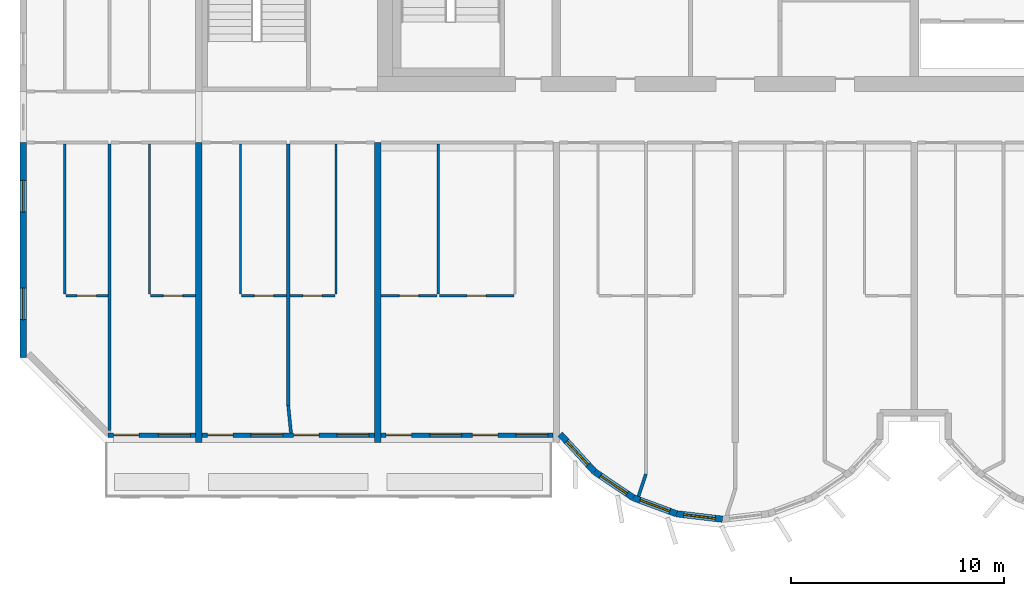
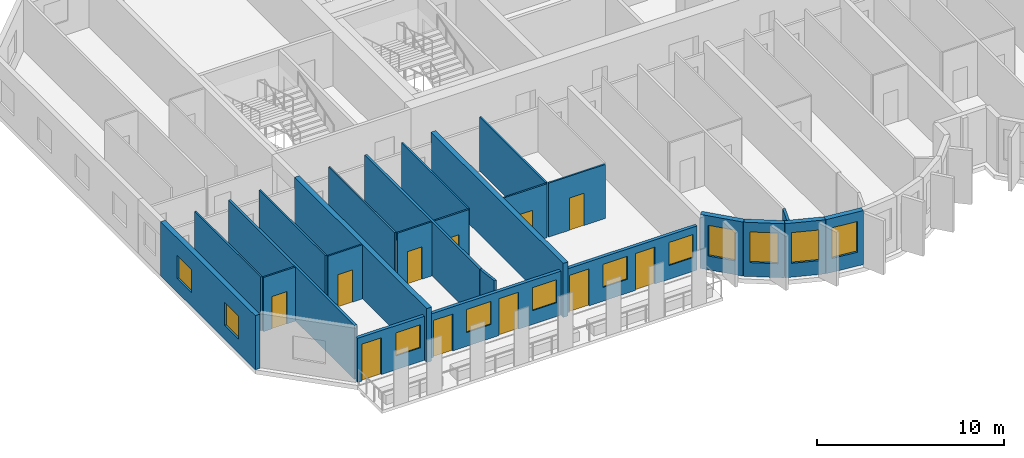
# One storey, part 2 of 13: 25 walls, 11 doors, 11 windows, 22 openings.
"""IFC4 building model written with IfcOpenShell, lengths in metres."""

from ifc_helpers import new_model, si_unit, direction, frame, frame_2d, origin, place, context, subcontext, project, spatial, rectangle, extrude, source, transform, mapped, material, layer, layer_set, type_object, element, fill, save


model = new_model("IFC4")

# Units and contexts
model_context = context("Model", 3, precision=1e-05, world=origin(), true_north=direction((0.0, 1.0)))
body_context = subcontext(model_context, "Body", "Model", "MODEL_VIEW")
ifc_project = project(units=[si_unit("LENGTHUNIT", "METRE"), si_unit("AREAUNIT", "SQUARE_METRE"), si_unit("VOLUMEUNIT", "CUBIC_METRE"), si_unit("PLANEANGLEUNIT", "RADIAN"), si_unit("MASSUNIT", "GRAM", prefix="KILO")], contexts=[model_context])

# Site, building, storey
site_placement = place(None, origin())
site = spatial("IfcSite", under=ifc_project, at=site_placement, CompositionType="ELEMENT")
building_placement = place(site_placement, origin())
building = spatial("IfcBuilding", under=site, at=building_placement, Name="Vanashikhar Sky Hotel", CompositionType="ELEMENT")
storey_placement = place(building_placement, frame((0.0, 0.0, 174.39990234375)))
storey = spatial("IfcBuildingStorey", under=building, at=storey_placement, Name="L42", CompositionType="ELEMENT", Elevation=174.39990234375)

# Wall, openings, windows
ifc_material_1 = material(Name="Concrete M60", Category="concrete")
ifc_layer_1 = layer(ifc_material_1, 0.300048828125)
ifc_layer_set_1 = layer_set([ifc_layer_1], Name="RC shear wall 300 Concrete M60")
wall_type_1 = type_object("IfcWallType", Name="RC shear wall 300 Concrete M60", PredefinedType="SHEAR", material=ifc_layer_set_1)
shared_shape_1 = source(origin(), body_context, "Body", "SweptSolid", [
    extrude(rectangle(XDim=10.10009765625, YDim=0.300048828125, at=frame_2d((5.050048828125, 0.0))), origin(), (0.0, 0.0, 1.0), 3.52001953125),
])
wall_1_placement = place(storey_placement, frame((8.550048828125, 9.5, 0.0), z_axis=(0.0, 0.0, 1.0), x_axis=(0.0, 1.0, 0.0)))
wall_1 = element("IfcWall", 1, at=wall_1_placement, inside=storey, type_object=wall_type_1, Name="CW-L42-XW02-1", PredefinedType="SHEAR", context=body_context, shape_type="MappedRepresentation", body=[
    mapped(shared_shape_1, transform((0.0, 0.0, 0.0), scale=1.0)),
])
shared_shape_2 = source(origin(), body_context, "Body", "SweptSolid", [
    extrude(rectangle(XDim=1.5, YDim=1.5, at=frame_2d((0.75, 0.75))), frame((0.0, 0.16015625, 0.0), z_axis=(0.0, -1.0, 0.0), x_axis=(1.0, 0.0, 0.0)), (0.0, 0.0, 1.0), 0.320068359375),
])
opening_1_placement = place(wall_1_placement, frame((1.77490234375, 0.0, 0.89990234375)))
opening_1 = element("IfcOpeningElement", 2, at=opening_1_placement, cuts=wall_1, Name="Opening WN-1", PredefinedType="OPENING", context=body_context, shape_type="MappedRepresentation", body=[
    mapped(shared_shape_2, transform((0.0, 0.0, 0.0), scale=1.0)),
])
opening_2_placement = place(wall_1_placement, frame((6.824951171875, 0.0, 0.89990234375)))
opening_2 = element("IfcOpeningElement", 3, at=opening_2_placement, cuts=wall_1, Name="Opening WN-1", PredefinedType="OPENING", context=body_context, shape_type="MappedRepresentation", body=[
    mapped(shared_shape_2, transform((0.0, 0.0, 0.0), scale=1.0)),
])
ifc_material_2 = material(Name="Glass", Category="glass")
window_type_1 = type_object("IfcWindowType", Name="Window 1500 x 1500", PartitioningType="SINGLE_PANEL", PredefinedType="WINDOW", material=ifc_material_2)
shared_shape_3 = source(origin(), body_context, "Body", "SweptSolid", [
    extrude(rectangle(XDim=1.5, YDim=1.5, at=frame_2d((0.75, 0.75))), frame((0.0, 0.030029296875, 0.0), z_axis=(0.0, -1.0, 0.0), x_axis=(1.0, 0.0, 0.0)), (0.0, 0.0, 1.0), 0.06005859375),
])
window_1_placement = place(opening_1_placement, origin())
window_1 = element("IfcWindow", 4, at=window_1_placement, inside=storey, type_object=window_type_1, Name="Window WN-1", OverallHeight=1.5, OverallWidth=1.5, PartitioningType="SINGLE_PANEL", PredefinedType="WINDOW", context=body_context, shape_type="MappedRepresentation", body=[
    mapped(shared_shape_3, transform((0.0, 0.0, 0.0), scale=1.0)),
])
fill(opening_1, window_1)
window_2_placement = place(opening_2_placement, origin())
window_2 = element("IfcWindow", 5, at=window_2_placement, inside=storey, type_object=window_type_1, Name="Window WN-1", OverallHeight=1.5, OverallWidth=1.5, PartitioningType="SINGLE_PANEL", PredefinedType="WINDOW", context=body_context, shape_type="MappedRepresentation", body=[
    mapped(shared_shape_3, transform((0.0, 0.0, 0.0), scale=1.0)),
])
fill(opening_2, window_2)

# Walls
shared_shape_4 = source(origin(), body_context, "Body", "SweptSolid", [
    extrude(rectangle(XDim=14.10009765625, YDim=0.300048828125, at=frame_2d((7.050048828125, 0.0))), origin(), (0.0, 0.0, 1.0), 3.52001953125),
])
for number, where, z_axis, x_axis, name in (
    (6, (16.800048828125, 5.5, 0.0), (0.0, 0.0, 1.0), (0.0, 1.0, 0.0), "CW-L42-XW03-1"),
    (7, (25.199951171875, 5.5, 0.0), (0.0, 0.0, 1.0), (0.0, 1.0, 0.0), "CW-L42-XW04-1"),
):
    element("IfcWall", number, at=place(storey_placement, frame(where, z_axis=z_axis, x_axis=x_axis)), inside=storey, type_object=wall_type_1, Name=name, PredefinedType="SHEAR", context=body_context, shape_type="MappedRepresentation", body=[
        mapped(shared_shape_4, transform((0.0, 0.0, 0.0), scale=1.0)),
    ])

# Wall, opening, window
ifc_material_3 = material(Name="Concrete M50", Category="concrete")
ifc_layer_2 = layer(ifc_material_3, 0.300048828125)
ifc_layer_set_2 = layer_set([ifc_layer_2], Name="Lobe wall 300")
wall_type_2 = type_object("IfcWallType", Name="Lobe wall 300", PredefinedType="SOLIDWALL", material=ifc_layer_set_2)
shared_shape_5 = source(origin(), body_context, "Body", "SweptSolid", [
    extrude(rectangle(XDim=2.398193359375, YDim=0.300048828125, at=frame_2d((1.19921875, 0.0))), origin(), (0.0, 0.0, 1.0), 3.52001953125),
])
wall_2_placement = place(storey_placement, frame((33.776123046875, 5.89990234375, 0.0), z_axis=(0.0, 0.0, 1.0), x_axis=(0.675374189419, -0.737475222815, 0.0)))
wall_2 = element("IfcWall", 8, at=wall_2_placement, inside=storey, type_object=wall_type_2, Name="Lobe wall", PredefinedType="SOLIDWALL", context=body_context, shape_type="MappedRepresentation", body=[
    mapped(shared_shape_5, transform((0.0, 0.0, 0.0), scale=1.0)),
])
shared_shape_6 = source(origin(), body_context, "Body", "SweptSolid", [
    extrude(rectangle(XDim=1.5, YDim=2.0, at=frame_2d((0.75, 1.0))), frame((0.0, 0.16015625, 0.0), z_axis=(0.0, -1.0, 0.0), x_axis=(1.0, 0.0, 0.0)), (0.0, 0.0, 1.0), 0.320068359375),
])
opening_3_placement = place(wall_2_placement, frame((0.44921875, 0.0, 0.89990234375)))
opening_3 = element("IfcOpeningElement", 9, at=opening_3_placement, cuts=wall_2, Name="Opening WN-2", PredefinedType="OPENING", context=body_context, shape_type="MappedRepresentation", body=[
    mapped(shared_shape_6, transform((0.0, 0.0, 0.0), scale=1.0)),
])
window_type_2 = type_object("IfcWindowType", Name="Lobe window 1500 x 2000", PartitioningType="SINGLE_PANEL", PredefinedType="WINDOW", material=ifc_material_2)
shared_shape_7 = source(origin(), body_context, "Body", "SweptSolid", [
    extrude(rectangle(XDim=1.5, YDim=2.0, at=frame_2d((0.75, 1.0))), frame((0.0, 0.030029296875, 0.0), z_axis=(0.0, -1.0, 0.0), x_axis=(1.0, 0.0, 0.0)), (0.0, 0.0, 1.0), 0.06005859375),
])
window_3_placement = place(opening_3_placement, origin())
window_3 = element("IfcWindow", 10, at=window_3_placement, inside=storey, type_object=window_type_2, Name="Window WN-2", OverallHeight=2.0, OverallWidth=1.5, PartitioningType="SINGLE_PANEL", PredefinedType="WINDOW", context=body_context, shape_type="MappedRepresentation", body=[
    mapped(shared_shape_7, transform((0.0, 0.0, 0.0), scale=1.0)),
])
fill(opening_3, window_3)

shared_shape_8 = source(origin(), body_context, "Body", "SweptSolid", [
    extrude(rectangle(XDim=2.17578125, YDim=0.300048828125, at=frame_2d((1.087890625, 0.0))), origin(), (0.0, 0.0, 1.0), 3.52001953125),
])
wall_3_placement = place(storey_placement, frame((35.395751953125, 4.13134765625, 0.0), z_axis=(0.0, 0.0, 1.0), x_axis=(0.829590746428, -0.558371913192, 0.0)))
wall_3 = element("IfcWall", 11, at=wall_3_placement, inside=storey, type_object=wall_type_2, Name="Lobe wall", PredefinedType="SOLIDWALL", context=body_context, shape_type="MappedRepresentation", body=[
    mapped(shared_shape_8, transform((0.0, 0.0, 0.0), scale=1.0)),
])
opening_4_placement = place(wall_3_placement, frame((0.337890625, 0.0, 0.89990234375)))
opening_4 = element("IfcOpeningElement", 12, at=opening_4_placement, cuts=wall_3, Name="Opening WN-2", PredefinedType="OPENING", context=body_context, shape_type="MappedRepresentation", body=[
    mapped(shared_shape_6, transform((0.0, 0.0, 0.0), scale=1.0)),
])
window_4_placement = place(opening_4_placement, origin())
window_4 = element("IfcWindow", 13, at=window_4_placement, inside=storey, type_object=window_type_2, Name="Window WN-2", OverallHeight=2.0, OverallWidth=1.5, PartitioningType="SINGLE_PANEL", PredefinedType="WINDOW", context=body_context, shape_type="MappedRepresentation", body=[
    mapped(shared_shape_7, transform((0.0, 0.0, 0.0), scale=1.0)),
])
fill(opening_4, window_4)

wall_4_placement = place(storey_placement, frame((37.20068359375, 2.91650390625, 0.0), z_axis=(0.0, 0.0, 1.0), x_axis=(0.93754555999, -0.347862505801, 0.0)))
wall_4 = element("IfcWall", 14, at=wall_4_placement, inside=storey, type_object=wall_type_2, Name="Lobe wall", PredefinedType="SOLIDWALL", context=body_context, shape_type="MappedRepresentation", body=[
    mapped(shared_shape_8, transform((0.0, 0.0, 0.0), scale=1.0)),
])
opening_5_placement = place(wall_4_placement, frame((0.337890625, 0.0, 0.89990234375)))
opening_5 = element("IfcOpeningElement", 15, at=opening_5_placement, cuts=wall_4, Name="Opening WN-2", PredefinedType="OPENING", context=body_context, shape_type="MappedRepresentation", body=[
    mapped(shared_shape_6, transform((0.0, 0.0, 0.0), scale=1.0)),
])
window_5_placement = place(opening_5_placement, origin())
window_5 = element("IfcWindow", 16, at=window_5_placement, inside=storey, type_object=window_type_2, Name="Window WN-2", OverallHeight=2.0, OverallWidth=1.5, PartitioningType="SINGLE_PANEL", PredefinedType="WINDOW", context=body_context, shape_type="MappedRepresentation", body=[
    mapped(shared_shape_7, transform((0.0, 0.0, 0.0), scale=1.0)),
])
fill(opening_5, window_5)

shared_shape_9 = source(origin(), body_context, "Body", "SweptSolid", [
    extrude(rectangle(XDim=2.174560546875, YDim=0.300048828125, at=frame_2d((1.08740234375, 0.0))), origin(), (0.0, 0.0, 1.0), 3.52001953125),
])
wall_5_placement = place(storey_placement, frame((39.240478515625, 2.15966796875, 0.0), z_axis=(0.0, 0.0, 1.0), x_axis=(0.993001132889, -0.118104826659, 0.0)))
wall_5 = element("IfcWall", 17, at=wall_5_placement, inside=storey, type_object=wall_type_2, Name="Lobe wall", PredefinedType="SOLIDWALL", context=body_context, shape_type="MappedRepresentation", body=[
    mapped(shared_shape_9, transform((0.0, 0.0, 0.0), scale=1.0)),
])
opening_6_placement = place(wall_5_placement, frame((0.33740234375, 0.0, 0.89990234375)))
opening_6 = element("IfcOpeningElement", 18, at=opening_6_placement, cuts=wall_5, Name="Opening WN-2", PredefinedType="OPENING", context=body_context, shape_type="MappedRepresentation", body=[
    mapped(shared_shape_6, transform((0.0, 0.0, 0.0), scale=1.0)),
])
window_6_placement = place(opening_6_placement, origin())
window_6 = element("IfcWindow", 19, at=window_6_placement, inside=storey, type_object=window_type_2, Name="Window WN-2", OverallHeight=2.0, OverallWidth=1.5, PartitioningType="SINGLE_PANEL", PredefinedType="WINDOW", context=body_context, shape_type="MappedRepresentation", body=[
    mapped(shared_shape_7, transform((0.0, 0.0, 0.0), scale=1.0)),
])
fill(opening_6, window_6)

# Wall, openings, window, door
ifc_layer_3 = layer(ifc_material_3, 0.199951171875)
ifc_layer_set_3 = layer_set([ifc_layer_3], Name="Front window wall 200")
wall_type_3 = type_object("IfcWallType", Name="Front window wall 200", PredefinedType="SOLIDWALL", material=ifc_layer_set_3)
shared_shape_10 = source(origin(), body_context, "Body", "SweptSolid", [
    extrude(rectangle(XDim=4.10498046875, YDim=0.199951171875, at=frame_2d((2.052490234375, 0.0))), origin(), (0.0, 0.0, 1.0), 2.8701171875),
])
wall_6_placement = place(storey_placement, frame((12.544921875, 5.85009765625, 0.0), z_axis=(0.0, 0.0, 1.0), x_axis=(1.0, 0.0, 0.0)))
wall_6 = element("IfcWall", 20, at=wall_6_placement, inside=storey, type_object=wall_type_3, Name="Front window wall", PredefinedType="SOLIDWALL", context=body_context, shape_type="MappedRepresentation", body=[
    mapped(shared_shape_10, transform((0.0, 0.0, 0.0), scale=1.0)),
])
shared_shape_11 = source(origin(), body_context, "Body", "SweptSolid", [
    extrude(rectangle(XDim=1.199951171875, YDim=2.39990234375, at=frame_2d((0.60009765625, 1.199951171875))), frame((0.0, 0.10986328125, 0.0), z_axis=(0.0, -1.0, 0.0), x_axis=(1.0, 0.0, 0.0)), (0.0, 0.0, 1.0), 0.219970703125),
])
opening_7_placement = place(wall_6_placement, frame((0.25, 0.0, 0.0)))
opening_7 = element("IfcOpeningElement", 21, at=opening_7_placement, cuts=wall_6, Name="Opening BD-01", PredefinedType="OPENING", context=body_context, shape_type="MappedRepresentation", body=[
    mapped(shared_shape_11, transform((0.0, 0.0, 0.0), scale=1.0)),
])
shared_shape_12 = source(origin(), body_context, "Body", "SweptSolid", [
    extrude(rectangle(XDim=1.5, YDim=1.5, at=frame_2d((0.75, 0.75))), frame((0.0, 0.10986328125, 0.0), z_axis=(0.0, -1.0, 0.0), x_axis=(1.0, 0.0, 0.0)), (0.0, 0.0, 1.0), 0.219970703125),
])
opening_8_placement = place(wall_6_placement, frame((2.35498046875, 0.0, 0.89990234375)))
opening_8 = element("IfcOpeningElement", 22, at=opening_8_placement, cuts=wall_6, Name="Opening WN-1", PredefinedType="OPENING", context=body_context, shape_type="MappedRepresentation", body=[
    mapped(shared_shape_12, transform((0.0, 0.0, 0.0), scale=1.0)),
])
window_7_placement = place(opening_8_placement, origin())
window_7 = element("IfcWindow", 23, at=window_7_placement, inside=storey, type_object=window_type_1, Name="Window WN-1", OverallHeight=1.5, OverallWidth=1.5, PartitioningType="SINGLE_PANEL", PredefinedType="WINDOW", context=body_context, shape_type="MappedRepresentation", body=[
    mapped(shared_shape_3, transform((0.0, 0.0, 0.0), scale=1.0)),
])
fill(opening_8, window_7)
ifc_material_4 = material(Name="Aluminium", Category="aluminium")
door_type_1 = type_object("IfcDoorType", Name="Balcony sliding door 1200 x 2400", OperationType="NOTDEFINED", PredefinedType="DOOR", material=ifc_material_4)
shared_shape_13 = source(origin(), body_context, "Body", "SweptSolid", [
    extrude(rectangle(XDim=1.199951171875, YDim=2.39990234375, at=frame_2d((0.60009765625, 1.199951171875))), frame((0.0, 0.02490234375, 0.0), z_axis=(0.0, -1.0, 0.0), x_axis=(1.0, 0.0, 0.0)), (0.0, 0.0, 1.0), 0.050048828125),
])
door_1_placement = place(opening_7_placement, origin())
door_1 = element("IfcDoor", 24, at=door_1_placement, inside=storey, type_object=door_type_1, Name="Balcony sliding door", OperationType="SLIDING_TO_LEFT", OverallHeight=2.39990234375, OverallWidth=1.199951171875, PredefinedType="DOOR", context=body_context, shape_type="MappedRepresentation", body=[
    mapped(shared_shape_13, transform((0.0, 0.0, 0.0), scale=1.0)),
])
fill(opening_7, door_1)

# Wall, openings, windows, doors
shared_shape_14 = source(origin(), body_context, "Body", "SweptSolid", [
    extrude(rectangle(XDim=8.10009765625, YDim=0.199951171875, at=frame_2d((4.050048828125, 0.0))), origin(), (0.0, 0.0, 1.0), 2.8701171875),
])
wall_7_placement = place(storey_placement, frame((16.949951171875, 5.85009765625, 0.0), z_axis=(0.0, 0.0, 1.0), x_axis=(1.0, 0.0, 0.0)))
wall_7 = element("IfcWall", 25, at=wall_7_placement, inside=storey, type_object=wall_type_3, Name="Front window wall", PredefinedType="SOLIDWALL", context=body_context, shape_type="MappedRepresentation", body=[
    mapped(shared_shape_14, transform((0.0, 0.0, 0.0), scale=1.0)),
])
opening_9_placement = place(wall_7_placement, frame((0.25, 0.0, 0.0)))
opening_9 = element("IfcOpeningElement", 26, at=opening_9_placement, cuts=wall_7, Name="Opening BD-02", PredefinedType="OPENING", context=body_context, shape_type="MappedRepresentation", body=[
    mapped(shared_shape_11, transform((0.0, 0.0, 0.0), scale=1.0)),
])
opening_10_placement = place(wall_7_placement, frame((2.300048828125, 0.0, 0.89990234375)))
opening_10 = element("IfcOpeningElement", 27, at=opening_10_placement, cuts=wall_7, Name="Opening WN-1", PredefinedType="OPENING", context=body_context, shape_type="MappedRepresentation", body=[
    mapped(shared_shape_12, transform((0.0, 0.0, 0.0), scale=1.0)),
])
opening_11_placement = place(wall_7_placement, frame((4.300048828125, 0.0, 0.0)))
opening_11 = element("IfcOpeningElement", 28, at=opening_11_placement, cuts=wall_7, Name="Opening BD-03", PredefinedType="OPENING", context=body_context, shape_type="MappedRepresentation", body=[
    mapped(shared_shape_11, transform((0.0, 0.0, 0.0), scale=1.0)),
])
opening_12_placement = place(wall_7_placement, frame((6.35009765625, 0.0, 0.89990234375)))
opening_12 = element("IfcOpeningElement", 29, at=opening_12_placement, cuts=wall_7, Name="Opening WN-1", PredefinedType="OPENING", context=body_context, shape_type="MappedRepresentation", body=[
    mapped(shared_shape_12, transform((0.0, 0.0, 0.0), scale=1.0)),
])
window_8_placement = place(opening_10_placement, origin())
window_8 = element("IfcWindow", 30, at=window_8_placement, inside=storey, type_object=window_type_1, Name="Window WN-1", OverallHeight=1.5, OverallWidth=1.5, PartitioningType="SINGLE_PANEL", PredefinedType="WINDOW", context=body_context, shape_type="MappedRepresentation", body=[
    mapped(shared_shape_3, transform((0.0, 0.0, 0.0), scale=1.0)),
])
fill(opening_10, window_8)
window_9_placement = place(opening_12_placement, origin())
window_9 = element("IfcWindow", 31, at=window_9_placement, inside=storey, type_object=window_type_1, Name="Window WN-1", OverallHeight=1.5, OverallWidth=1.5, PartitioningType="SINGLE_PANEL", PredefinedType="WINDOW", context=body_context, shape_type="MappedRepresentation", body=[
    mapped(shared_shape_3, transform((0.0, 0.0, 0.0), scale=1.0)),
])
fill(opening_12, window_9)
door_2_placement = place(opening_9_placement, origin())
door_2 = element("IfcDoor", 32, at=door_2_placement, inside=storey, type_object=door_type_1, Name="Balcony sliding door", OperationType="SLIDING_TO_RIGHT", OverallHeight=2.39990234375, OverallWidth=1.199951171875, PredefinedType="DOOR", context=body_context, shape_type="MappedRepresentation", body=[
    mapped(shared_shape_13, transform((0.0, 0.0, 0.0), scale=1.0)),
])
fill(opening_9, door_2)
door_3_placement = place(opening_11_placement, origin())
door_3 = element("IfcDoor", 33, at=door_3_placement, inside=storey, type_object=door_type_1, Name="Balcony sliding door", OperationType="SLIDING_TO_LEFT", OverallHeight=2.39990234375, OverallWidth=1.199951171875, PredefinedType="DOOR", context=body_context, shape_type="MappedRepresentation", body=[
    mapped(shared_shape_13, transform((0.0, 0.0, 0.0), scale=1.0)),
])
fill(opening_11, door_3)

shared_shape_15 = source(origin(), body_context, "Body", "SweptSolid", [
    extrude(rectangle(XDim=8.099853515625, YDim=0.199951171875, at=frame_2d((4.0498046875, 0.0))), origin(), (0.0, 0.0, 1.0), 2.8701171875),
])
wall_8_placement = place(storey_placement, frame((25.35009765625, 5.85009765625, 0.0), z_axis=(0.0, 0.0, 1.0), x_axis=(1.0, 0.0, 0.0)))
wall_8 = element("IfcWall", 34, at=wall_8_placement, inside=storey, type_object=wall_type_3, Name="Front window wall", PredefinedType="SOLIDWALL", context=body_context, shape_type="MappedRepresentation", body=[
    mapped(shared_shape_15, transform((0.0, 0.0, 0.0), scale=1.0)),
])
opening_13_placement = place(wall_8_placement, frame((0.25, 0.0, 0.0)))
opening_13 = element("IfcOpeningElement", 35, at=opening_13_placement, cuts=wall_8, Name="Opening BD-04", PredefinedType="OPENING", context=body_context, shape_type="MappedRepresentation", body=[
    mapped(shared_shape_11, transform((0.0, 0.0, 0.0), scale=1.0)),
])
opening_14_placement = place(wall_8_placement, frame((2.300048828125, 0.0, 0.89990234375)))
opening_14 = element("IfcOpeningElement", 36, at=opening_14_placement, cuts=wall_8, Name="Opening WN-1", PredefinedType="OPENING", context=body_context, shape_type="MappedRepresentation", body=[
    mapped(shared_shape_12, transform((0.0, 0.0, 0.0), scale=1.0)),
])
opening_15_placement = place(wall_8_placement, frame((4.300048828125, 0.0, 0.0)))
opening_15 = element("IfcOpeningElement", 37, at=opening_15_placement, cuts=wall_8, Name="Opening BD-05", PredefinedType="OPENING", context=body_context, shape_type="MappedRepresentation", body=[
    mapped(shared_shape_11, transform((0.0, 0.0, 0.0), scale=1.0)),
])
opening_16_placement = place(wall_8_placement, frame((6.35009765625, 0.0, 0.89990234375)))
opening_16 = element("IfcOpeningElement", 38, at=opening_16_placement, cuts=wall_8, Name="Opening WN-1", PredefinedType="OPENING", context=body_context, shape_type="MappedRepresentation", body=[
    mapped(shared_shape_12, transform((0.0, 0.0, 0.0), scale=1.0)),
])
window_10_placement = place(opening_14_placement, origin())
window_10 = element("IfcWindow", 39, at=window_10_placement, inside=storey, type_object=window_type_1, Name="Window WN-1", OverallHeight=1.5, OverallWidth=1.5, PartitioningType="SINGLE_PANEL", PredefinedType="WINDOW", context=body_context, shape_type="MappedRepresentation", body=[
    mapped(shared_shape_3, transform((0.0, 0.0, 0.0), scale=1.0)),
])
fill(opening_14, window_10)
window_11_placement = place(opening_16_placement, origin())
window_11 = element("IfcWindow", 40, at=window_11_placement, inside=storey, type_object=window_type_1, Name="Window WN-1", OverallHeight=1.5, OverallWidth=1.5, PartitioningType="SINGLE_PANEL", PredefinedType="WINDOW", context=body_context, shape_type="MappedRepresentation", body=[
    mapped(shared_shape_3, transform((0.0, 0.0, 0.0), scale=1.0)),
])
fill(opening_16, window_11)
door_4_placement = place(opening_13_placement, origin())
door_4 = element("IfcDoor", 41, at=door_4_placement, inside=storey, type_object=door_type_1, Name="Balcony sliding door", OperationType="SLIDING_TO_RIGHT", OverallHeight=2.39990234375, OverallWidth=1.199951171875, PredefinedType="DOOR", context=body_context, shape_type="MappedRepresentation", body=[
    mapped(shared_shape_13, transform((0.0, 0.0, 0.0), scale=1.0)),
])
fill(opening_13, door_4)
door_5_placement = place(opening_15_placement, origin())
door_5 = element("IfcDoor", 42, at=door_5_placement, inside=storey, type_object=door_type_1, Name="Balcony sliding door", OperationType="SLIDING_TO_LEFT", OverallHeight=2.39990234375, OverallWidth=1.199951171875, PredefinedType="DOOR", context=body_context, shape_type="MappedRepresentation", body=[
    mapped(shared_shape_13, transform((0.0, 0.0, 0.0), scale=1.0)),
])
fill(opening_15, door_5)

# Walls
ifc_material_5 = material(Name="Gypsum plasterboard partition")
ifc_layer_4 = layer(ifc_material_5, 0.10009765625)
ifc_layer_set_4 = layer_set([ifc_layer_4], Name="Wet room partition 100")
wall_type_4 = type_object("IfcWallType", Name="Wet room partition 100", PredefinedType="PARTITIONING", material=ifc_layer_set_4)
shared_shape_16 = source(origin(), body_context, "Body", "SweptSolid", [
    extrude(rectangle(XDim=7.0498046875, YDim=0.10009765625, at=frame_2d((3.52490234375, 0.0))), origin(), (0.0, 0.0, 1.0), 3.52001953125),
])
for number, where, z_axis, x_axis, name in (
    (43, (10.5, 12.47509765625, 0.0), (0.0, 0.0, 1.0), (0.0, 1.0, 0.0), "W-L42-PW001"),
    (44, (14.47509765625, 12.47509765625, 0.0), (0.0, 0.0, 1.0), (0.0, 1.0, 0.0), "W-L42-PW004"),
    (45, (18.75, 12.47509765625, 0.0), (0.0, 0.0, 1.0), (0.0, 1.0, 0.0), "W-L42-PW008"),
    (46, (23.25, 12.47509765625, 0.0), (0.0, 0.0, 1.0), (0.0, 1.0, 0.0), "W-L42-PW011"),
    (47, (28.050048828125, 12.47509765625, 0.0), (0.0, 0.0, 1.0), (0.0, 1.0, 0.0), "W-L42-PW016"),
):
    element("IfcWall", number, at=place(storey_placement, frame(where, z_axis=z_axis, x_axis=x_axis)), inside=storey, type_object=wall_type_4, Name=name, PredefinedType="PARTITIONING", context=body_context, shape_type="MappedRepresentation", body=[
        mapped(shared_shape_16, transform((0.0, 0.0, 0.0), scale=1.0)),
    ])

# Wall, opening, door
shared_shape_17 = source(origin(), body_context, "Body", "SweptSolid", [
    extrude(rectangle(XDim=3.5, YDim=0.10009765625, at=frame_2d((1.75, 0.0))), origin(), (0.0, 0.0, 1.0), 3.52001953125),
])
wall_9_placement = place(storey_placement, frame((28.10009765625, 12.39990234375, 0.0), z_axis=(0.0, 0.0, 1.0), x_axis=(1.0, 0.0, 0.0)))
wall_9 = element("IfcWall", 48, at=wall_9_placement, inside=storey, type_object=wall_type_4, Name="W-L42-PW017", PredefinedType="PARTITIONING", context=body_context, shape_type="MappedRepresentation", body=[
    mapped(shared_shape_17, transform((0.0, 0.0, 0.0), scale=1.0)),
])
shared_shape_18 = source(origin(), body_context, "Body", "SweptSolid", [
    extrude(rectangle(XDim=0.89990234375, YDim=2.10009765625, at=frame_2d((0.449951171875, 1.050048828125))), frame((0.0, 0.06005859375, 0.0), z_axis=(0.0, -1.0, 0.0), x_axis=(1.0, 0.0, 0.0)), (0.0, 0.0, 1.0), 0.1201171875),
])
opening_17_placement = place(wall_9_placement, frame((1.300048828125, 0.0, 0.0)))
opening_17 = element("IfcOpeningElement", 49, at=opening_17_placement, cuts=wall_9, Name="Opening D-02", PredefinedType="OPENING", context=body_context, shape_type="MappedRepresentation", body=[
    mapped(shared_shape_18, transform((0.0, 0.0, 0.0), scale=1.0)),
])
ifc_material_6 = material(Name="Timber door", Category="wood")
door_type_2 = type_object("IfcDoorType", Name="Internal door 900", OperationType="NOTDEFINED", PredefinedType="DOOR", material=ifc_material_6)
shared_shape_19 = source(origin(), body_context, "Body", "SweptSolid", [
    extrude(rectangle(XDim=0.89990234375, YDim=2.10009765625, at=frame_2d((0.449951171875, 1.050048828125))), frame((0.0, 0.02490234375, 0.0), z_axis=(0.0, -1.0, 0.0), x_axis=(1.0, 0.0, 0.0)), (0.0, 0.0, 1.0), 0.050048828125),
])
door_6_placement = place(opening_17_placement, origin())
door_6 = element("IfcDoor", 50, at=door_6_placement, inside=storey, type_object=door_type_2, Name="D-L42-009", OperationType="SINGLE_SWING_RIGHT", OverallHeight=2.10009765625, OverallWidth=0.89990234375, PredefinedType="DOOR", context=body_context, shape_type="MappedRepresentation", body=[
    mapped(shared_shape_19, transform((0.0, 0.0, 0.0), scale=1.0)),
])
fill(opening_17, door_6)

# Walls
ifc_layer_5 = layer(ifc_material_5, 0.14990234375)
ifc_layer_set_5 = layer_set([ifc_layer_5], Name="Corridor and demising partition 150")
wall_type_5 = type_object("IfcWallType", Name="Corridor and demising partition 150", PredefinedType="PARTITIONING", material=ifc_layer_set_5)
shared_shape_20 = source(origin(), body_context, "Body", "SweptSolid", [
    extrude(rectangle(XDim=1.100830078125, YDim=0.14990234375, at=frame_2d((0.55029296875, 0.0))), origin(), (0.0, 0.0, 1.0), 3.52001953125),
])
wall_10_placement = place(storey_placement, frame((37.45703125, 2.98095703125, 0.0), z_axis=(0.0, 0.0, 1.0), x_axis=(0.311567081539, 0.950224159712, 0.0)))
element("IfcWall", 51, at=wall_10_placement, inside=storey, type_object=wall_type_5, Name="W-L42-PW026B0", PredefinedType="PARTITIONING", context=body_context, shape_type="MappedRepresentation", body=[
    mapped(shared_shape_20, transform((0.0, 0.0, 0.0), scale=1.0)),
])
shared_shape_21 = source(origin(), body_context, "Body", "SweptSolid", [
    extrude(rectangle(XDim=13.447021484375, YDim=0.14990234375, at=frame_2d((6.7236328125, 0.0))), origin(), (0.0, 0.0, 1.0), 3.52001953125),
])
wall_11_placement = place(storey_placement, frame((12.60009765625, 6.077880859375, 0.0), z_axis=(0.0, 0.0, 1.0), x_axis=(0.0, 1.0, 0.0)))
element("IfcWall", 52, at=wall_11_placement, inside=storey, type_object=wall_type_5, Name="W-L42-PW007", PredefinedType="PARTITIONING", context=body_context, shape_type="MappedRepresentation", body=[
    mapped(shared_shape_21, transform((0.0, 0.0, 0.0), scale=1.0)),
])
shared_shape_22 = source(origin(), body_context, "Body", "SweptSolid", [
    extrude(rectangle(XDim=12.27490234375, YDim=0.14990234375, at=frame_2d((6.137451171875, 0.0))), origin(), (0.0, 0.0, 1.0), 3.52001953125),
])
wall_12_placement = place(storey_placement, frame((21.0, 7.25, 0.0), z_axis=(0.0, 0.0, 1.0), x_axis=(0.0, 1.0, 0.0)))
element("IfcWall", 53, at=wall_12_placement, inside=storey, type_object=wall_type_5, Name="W-L42-PW014", PredefinedType="PARTITIONING", context=body_context, shape_type="MappedRepresentation", body=[
    mapped(shared_shape_22, transform((0.0, 0.0, 0.0), scale=1.0)),
])
shared_shape_23 = source(origin(), body_context, "Body", "SweptSolid", [
    extrude(rectangle(XDim=1.306640625, YDim=0.14990234375, at=frame_2d((0.6533203125, 0.0))), origin(), (0.0, 0.0, 1.0), 3.52001953125),
])
wall_13_placement = place(storey_placement, frame((21.1298828125, 5.949951171875, 0.0), z_axis=(0.0, 0.0, 1.0), x_axis=(-0.099411212066, 0.995046436562, 0.0)))
element("IfcWall", 54, at=wall_13_placement, inside=storey, type_object=wall_type_5, Name="W-L42-PW014B0", PredefinedType="PARTITIONING", context=body_context, shape_type="MappedRepresentation", body=[
    mapped(shared_shape_23, transform((0.0, 0.0, 0.0), scale=1.0)),
])

# Wall, opening, door
shared_shape_24 = source(origin(), body_context, "Body", "SweptSolid", [
    extrude(rectangle(XDim=2.125, YDim=0.10009765625, at=frame_2d((1.0625, 0.0))), origin(), (0.0, 0.0, 1.0), 3.52001953125),
])
wall_14_placement = place(storey_placement, frame((14.52490234375, 12.39990234375, 0.0), z_axis=(0.0, 0.0, 1.0), x_axis=(1.0, 0.0, 0.0)))
wall_14 = element("IfcWall", 55, at=wall_14_placement, inside=storey, type_object=wall_type_4, Name="W-L42-PW005", PredefinedType="PARTITIONING", context=body_context, shape_type="MappedRepresentation", body=[
    mapped(shared_shape_24, transform((0.0, 0.0, 0.0), scale=1.0)),
])
opening_18_placement = place(wall_14_placement, frame((0.612060546875, 0.0, 0.0)))
opening_18 = element("IfcOpeningElement", 56, at=opening_18_placement, cuts=wall_14, Name="Opening D-02", PredefinedType="OPENING", context=body_context, shape_type="MappedRepresentation", body=[
    mapped(shared_shape_18, transform((0.0, 0.0, 0.0), scale=1.0)),
])
door_7_placement = place(opening_18_placement, origin())
door_7 = element("IfcDoor", 57, at=door_7_placement, inside=storey, type_object=door_type_2, Name="D-L42-003", OperationType="SINGLE_SWING_LEFT", OverallHeight=2.10009765625, OverallWidth=0.89990234375, PredefinedType="DOOR", context=body_context, shape_type="MappedRepresentation", body=[
    mapped(shared_shape_19, transform((0.0, 0.0, 0.0), scale=1.0)),
])
fill(opening_18, door_7)

wall_15_placement = place(storey_placement, frame((18.800048828125, 12.39990234375, 0.0), z_axis=(0.0, 0.0, 1.0), x_axis=(1.0, 0.0, 0.0)))
wall_15 = element("IfcWall", 58, at=wall_15_placement, inside=storey, type_object=wall_type_4, Name="W-L42-PW009", PredefinedType="PARTITIONING", context=body_context, shape_type="MappedRepresentation", body=[
    mapped(shared_shape_24, transform((0.0, 0.0, 0.0), scale=1.0)),
])
opening_19_placement = place(wall_15_placement, frame((0.613037109375, 0.0, 0.0)))
opening_19 = element("IfcOpeningElement", 59, at=opening_19_placement, cuts=wall_15, Name="Opening D-02", PredefinedType="OPENING", context=body_context, shape_type="MappedRepresentation", body=[
    mapped(shared_shape_18, transform((0.0, 0.0, 0.0), scale=1.0)),
])
door_8_placement = place(opening_19_placement, origin())
door_8 = element("IfcDoor", 60, at=door_8_placement, inside=storey, type_object=door_type_2, Name="D-L42-005", OperationType="SINGLE_SWING_LEFT", OverallHeight=2.10009765625, OverallWidth=0.89990234375, PredefinedType="DOOR", context=body_context, shape_type="MappedRepresentation", body=[
    mapped(shared_shape_19, transform((0.0, 0.0, 0.0), scale=1.0)),
])
fill(opening_19, door_8)

wall_16_placement = place(storey_placement, frame((21.074951171875, 12.39990234375, 0.0), z_axis=(0.0, 0.0, 1.0), x_axis=(1.0, 0.0, 0.0)))
wall_16 = element("IfcWall", 61, at=wall_16_placement, inside=storey, type_object=wall_type_4, Name="W-L42-PW012", PredefinedType="PARTITIONING", context=body_context, shape_type="MappedRepresentation", body=[
    mapped(shared_shape_24, transform((0.0, 0.0, 0.0), scale=1.0)),
])
opening_20_placement = place(wall_16_placement, frame((0.613037109375, 0.0, 0.0)))
opening_20 = element("IfcOpeningElement", 62, at=opening_20_placement, cuts=wall_16, Name="Opening D-02", PredefinedType="OPENING", context=body_context, shape_type="MappedRepresentation", body=[
    mapped(shared_shape_18, transform((0.0, 0.0, 0.0), scale=1.0)),
])
door_9_placement = place(opening_20_placement, origin())
door_9 = element("IfcDoor", 63, at=door_9_placement, inside=storey, type_object=door_type_2, Name="D-L42-007", OperationType="SINGLE_SWING_RIGHT", OverallHeight=2.10009765625, OverallWidth=0.89990234375, PredefinedType="DOOR", context=body_context, shape_type="MappedRepresentation", body=[
    mapped(shared_shape_19, transform((0.0, 0.0, 0.0), scale=1.0)),
])
fill(opening_20, door_9)

shared_shape_25 = source(origin(), body_context, "Body", "SweptSolid", [
    extrude(rectangle(XDim=2.64990234375, YDim=0.10009765625, at=frame_2d((1.324951171875, 0.0))), origin(), (0.0, 0.0, 1.0), 3.52001953125),
])
wall_17_placement = place(storey_placement, frame((25.35009765625, 12.39990234375, 0.0), z_axis=(0.0, 0.0, 1.0), x_axis=(1.0, 0.0, 0.0)))
wall_17 = element("IfcWall", 64, at=wall_17_placement, inside=storey, type_object=wall_type_4, Name="W-L42-PW018", PredefinedType="PARTITIONING", context=body_context, shape_type="MappedRepresentation", body=[
    mapped(shared_shape_25, transform((0.0, 0.0, 0.0), scale=1.0)),
])
opening_21_placement = place(wall_17_placement, frame((0.875, 0.0, 0.0)))
opening_21 = element("IfcOpeningElement", 65, at=opening_21_placement, cuts=wall_17, Name="Opening D-02", PredefinedType="OPENING", context=body_context, shape_type="MappedRepresentation", body=[
    mapped(shared_shape_18, transform((0.0, 0.0, 0.0), scale=1.0)),
])
door_10_placement = place(opening_21_placement, origin())
door_10 = element("IfcDoor", 66, at=door_10_placement, inside=storey, type_object=door_type_2, Name="D-L42-010", OperationType="SINGLE_SWING_RIGHT", OverallHeight=2.10009765625, OverallWidth=0.89990234375, PredefinedType="DOOR", context=body_context, shape_type="MappedRepresentation", body=[
    mapped(shared_shape_19, transform((0.0, 0.0, 0.0), scale=1.0)),
])
fill(opening_21, door_10)

shared_shape_26 = source(origin(), body_context, "Body", "SweptSolid", [
    extrude(rectangle(XDim=1.974853515625, YDim=0.10009765625, at=frame_2d((0.9873046875, 0.0))), origin(), (0.0, 0.0, 1.0), 3.52001953125),
])
wall_18_placement = place(storey_placement, frame((10.550048828125, 12.39990234375, 0.0), z_axis=(0.0, 0.0, 1.0), x_axis=(1.0, 0.0, 0.0)))
wall_18 = element("IfcWall", 67, at=wall_18_placement, inside=storey, type_object=wall_type_4, Name="W-L42-PW002", PredefinedType="PARTITIONING", context=body_context, shape_type="MappedRepresentation", body=[
    mapped(shared_shape_26, transform((0.0, 0.0, 0.0), scale=1.0)),
])
opening_22_placement = place(wall_18_placement, frame((0.5380859375, 0.0, 0.0)))
opening_22 = element("IfcOpeningElement", 68, at=opening_22_placement, cuts=wall_18, Name="Opening D-02", PredefinedType="OPENING", context=body_context, shape_type="MappedRepresentation", body=[
    mapped(shared_shape_18, transform((0.0, 0.0, 0.0), scale=1.0)),
])
door_11_placement = place(opening_22_placement, origin())
door_11 = element("IfcDoor", 69, at=door_11_placement, inside=storey, type_object=door_type_2, Name="D-L42-001", OperationType="SINGLE_SWING_LEFT", OverallHeight=2.10009765625, OverallWidth=0.89990234375, PredefinedType="DOOR", context=body_context, shape_type="MappedRepresentation", body=[
    mapped(shared_shape_19, transform((0.0, 0.0, 0.0), scale=1.0)),
])
fill(opening_22, door_11)

save(model, "model.ifc")
